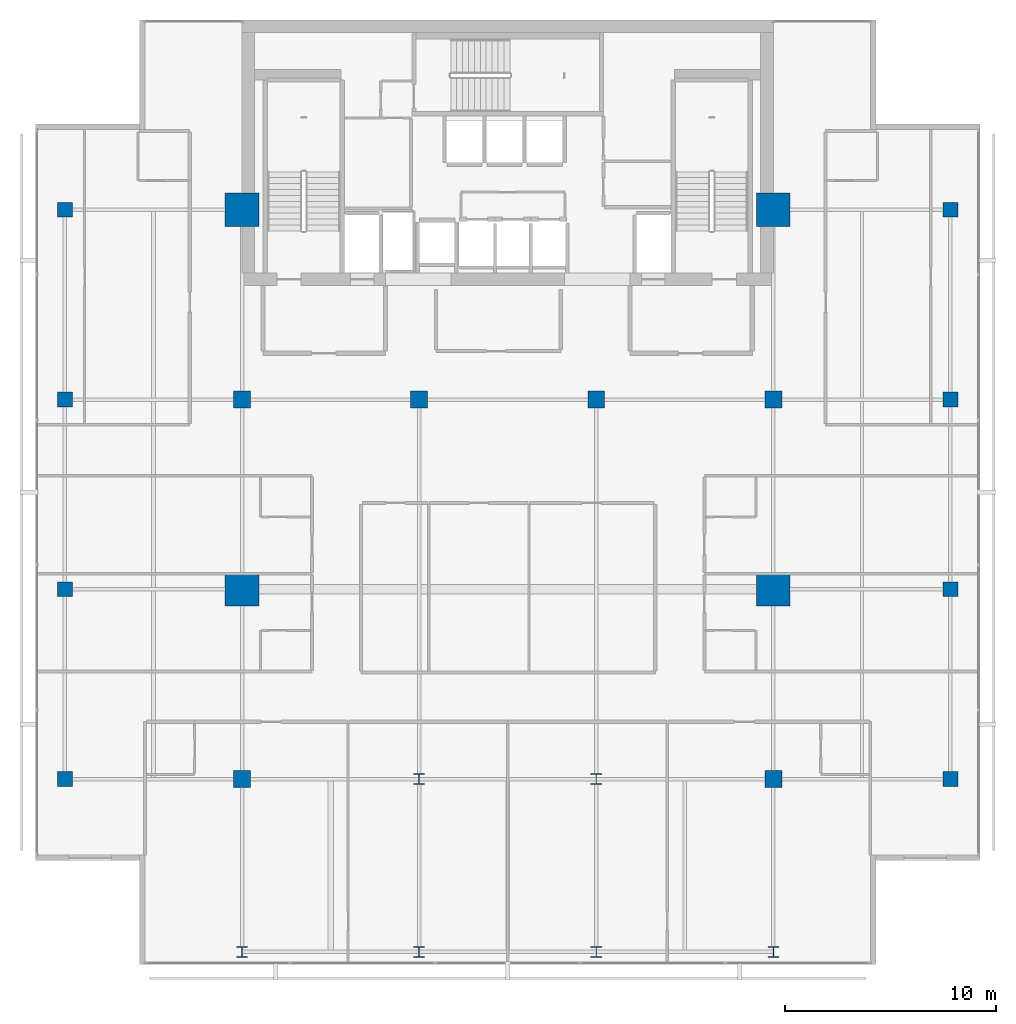
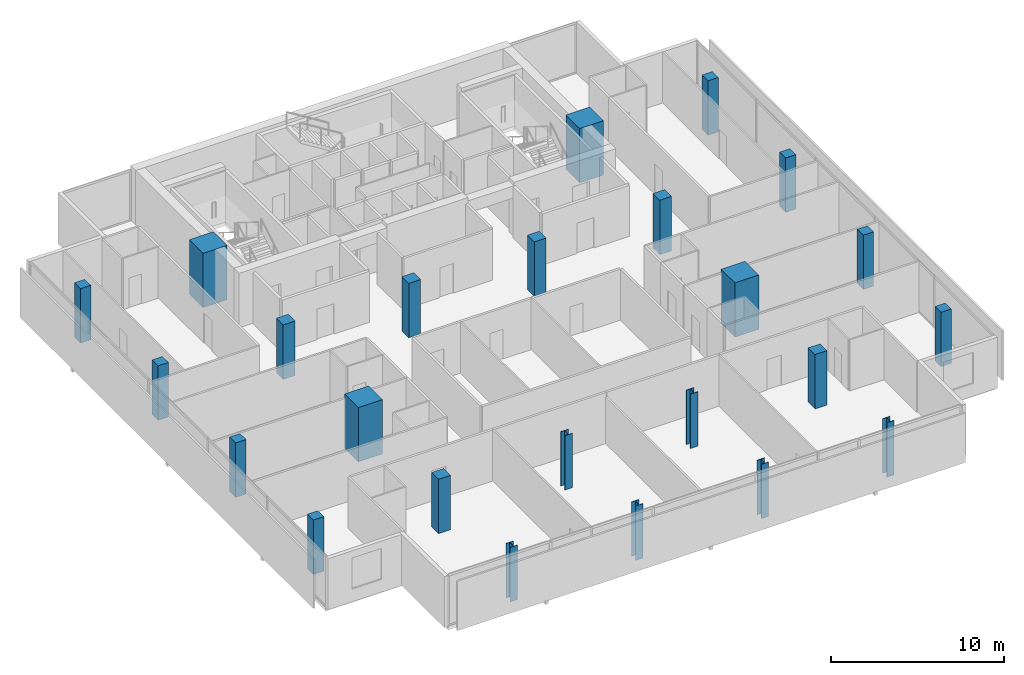
# One storey, part 1 of 25: 24 columns.
"""IFC4 building model written with IfcOpenShell, lengths in metres."""

from ifc_helpers import new_model, si_unit, direction, frame, origin, origin_2d, place, context, subcontext, project, spatial, rectangle, i_section, extrude, material, material_profile, profile_set, type_object, element, save


model = new_model("IFC4")

# Units and contexts
model_context = context("Model", 3, precision=1e-05, world=origin(), true_north=direction((0.0, 1.0)))
body_context = subcontext(model_context, "Body", "Model", "MODEL_VIEW")
ifc_project = project(units=[si_unit("LENGTHUNIT", "METRE"), si_unit("AREAUNIT", "SQUARE_METRE"), si_unit("VOLUMEUNIT", "CUBIC_METRE"), si_unit("PLANEANGLEUNIT", "RADIAN"), si_unit("MASSUNIT", "GRAM", prefix="KILO")], contexts=[model_context])

# Site, building, storey
site_placement = place(None, origin())
site = spatial("IfcSite", under=ifc_project, at=site_placement, CompositionType="ELEMENT")
building_placement = place(site_placement, origin())
building = spatial("IfcBuilding", under=site, at=building_placement, Name="Maruvema Waterfront Hotel and Observation Tower", CompositionType="ELEMENT")
storey_placement = place(building_placement, frame((0.0, 0.0, 281.75)))
storey = spatial("IfcBuildingStorey", under=building, at=storey_placement, Name="L69", CompositionType="ELEMENT", Elevation=281.75)

# Columns
ifc_material_1 = material(Name="Concrete C70/85", Category="concrete")
ifc_material_profile_1 = material_profile(ifc_material_1, rectangle(XDim=1.60009765625, YDim=1.60009765625, at=origin_2d()), Name="MC1600x1600")
ifc_profile_set_1 = profile_set([ifc_material_profile_1], Name="Concrete C70/85")
column_type_1 = type_object("IfcColumnType", Name="Continuous Mega-Column MC1600x1600", PredefinedType="COLUMN", material=ifc_profile_set_1)
for number, where, z_axis, x_axis, name in (
    (1, (25.199951171875, 27.0, 0.0), (0.0, 0.0, 1.0), (1.0, 0.0, 0.0), "L69 Continuous Mega-Column MC-01"),
    (2, (50.39990234375, 27.0, 0.0), (0.0, 0.0, 1.0), (1.0, 0.0, 0.0), "L69 Continuous Mega-Column MC-02"),
    (3, (25.199951171875, 45.0, 0.0), (0.0, 0.0, 1.0), (1.0, 0.0, 0.0), "L69 Continuous Mega-Column MC-03"),
    (4, (50.39990234375, 45.0, 0.0), (0.0, 0.0, 1.0), (1.0, 0.0, 0.0), "L69 Continuous Mega-Column MC-04"),
):
    element("IfcColumn", number, at=place(storey_placement, frame(where, z_axis=z_axis, x_axis=x_axis)), inside=storey, type_object=column_type_1, Name=name, PredefinedType="COLUMN", context=body_context, shape_type="SweptSolid", body=[
        extrude(rectangle(XDim=1.60009765625, YDim=1.60009765625, at=origin_2d()), origin(), (0.0, 0.0, 1.0), 3.85009765625),
    ])
ifc_material_2 = material(Name="Concrete C60/75", Category="concrete")
ifc_material_profile_2 = material_profile(ifc_material_2, rectangle(XDim=0.699951171875, YDim=0.699951171875, at=origin_2d()), Name="RC700x700")
ifc_profile_set_2 = profile_set([ifc_material_profile_2], Name="Concrete C60/75")
column_type_2 = type_object("IfcColumnType", Name="Reinforced Concrete Column RC700x700", PredefinedType="COLUMN", material=ifc_profile_set_2)
for number, where, z_axis, x_axis, name in (
    (5, (16.800048828125, 18.0, 0.0), (0.0, 0.0, 1.0), (1.0, 0.0, 0.0), "L69 Column C-3Y18"),
    (6, (58.800048828125, 18.0, 0.0), (0.0, 0.0, 1.0), (1.0, 0.0, 0.0), "L69 Column C-8Y18"),
    (7, (16.800048828125, 27.0, 0.0), (0.0, 0.0, 1.0), (1.0, 0.0, 0.0), "L69 Column C-3Y27"),
    (8, (58.800048828125, 27.0, 0.0), (0.0, 0.0, 1.0), (1.0, 0.0, 0.0), "L69 Column C-8Y27"),
    (9, (16.800048828125, 36.0, 0.0), (0.0, 0.0, 1.0), (1.0, 0.0, 0.0), "L69 Column C-3Y36"),
    (10, (58.800048828125, 36.0, 0.0), (0.0, 0.0, 1.0), (1.0, 0.0, 0.0), "L69 Column C-8Y36"),
    (11, (16.800048828125, 45.0, 0.0), (0.0, 0.0, 1.0), (1.0, 0.0, 0.0), "L69 Column C-3Y45"),
    (12, (58.800048828125, 45.0, 0.0), (0.0, 0.0, 1.0), (1.0, 0.0, 0.0), "L69 Column C-8Y45"),
):
    element("IfcColumn", number, at=place(storey_placement, frame(where, z_axis=z_axis, x_axis=x_axis)), inside=storey, type_object=column_type_2, Name=name, PredefinedType="COLUMN", context=body_context, shape_type="SweptSolid", body=[
        extrude(rectangle(XDim=0.699951171875, YDim=0.699951171875, at=origin_2d()), origin(), (0.0, 0.0, 1.0), 3.85009765625),
    ])
ifc_material_3 = material(Name="Concrete C60/75", Category="concrete")
ifc_material_profile_3 = material_profile(ifc_material_3, rectangle(XDim=0.800048828125, YDim=0.800048828125, at=origin_2d()), Name="RC800x800")
ifc_profile_set_3 = profile_set([ifc_material_profile_3], Name="Concrete C60/75")
column_type_3 = type_object("IfcColumnType", Name="Reinforced Concrete Column RC800x800", PredefinedType="COLUMN", material=ifc_profile_set_3)
for number, where, z_axis, x_axis, name in (
    (13, (25.199951171875, 36.0, 0.0), (0.0, 0.0, 1.0), (1.0, 0.0, 0.0), "L69 Column C-4E"),
    (14, (33.60009765625, 36.0, 0.0), (0.0, 0.0, 1.0), (1.0, 0.0, 0.0), "L69 Column C-5E"),
    (15, (42.0, 36.0, 0.0), (0.0, 0.0, 1.0), (1.0, 0.0, 0.0), "L69 Column C-6E"),
    (16, (50.39990234375, 36.0, 0.0), (0.0, 0.0, 1.0), (1.0, 0.0, 0.0), "L69 Column C-7E"),
    (17, (25.199951171875, 18.0, 0.0), (0.0, 0.0, 1.0), (1.0, 0.0, 0.0), "L69 Column C-4C"),
    (18, (50.39990234375, 18.0, 0.0), (0.0, 0.0, 1.0), (1.0, 0.0, 0.0), "L69 Column C-7C"),
):
    element("IfcColumn", number, at=place(storey_placement, frame(where, z_axis=z_axis, x_axis=x_axis)), inside=storey, type_object=column_type_3, Name=name, PredefinedType="COLUMN", context=body_context, shape_type="SweptSolid", body=[
        extrude(rectangle(XDim=0.800048828125, YDim=0.800048828125, at=origin_2d()), origin(), (0.0, 0.0, 1.0), 3.85009765625),
    ])
ifc_material_4 = material(Name="Steel ABNT NBR 7007 AR 415 (ASTM A572 Grade 50)", Category="steel")
ifc_material_profile_4 = material_profile(ifc_material_4, i_section(OverallWidth=0.5, OverallDepth=0.5, WebThickness=0.02197265625, FlangeThickness=0.031982421875, at=origin_2d()), Name="CVS500x223")
ifc_profile_set_4 = profile_set([ifc_material_profile_4], Name="Steel ABNT NBR 7007 AR 415 (ASTM A572 Grade 50)")
column_type_4 = type_object("IfcColumnType", Name="Structural Steel Column CVS500x223", PredefinedType="COLUMN", material=ifc_profile_set_4)
for number, where, z_axis, x_axis, name in (
    (19, (33.60009765625, 18.0, 0.0), (0.0, 0.0, 1.0), (1.0, 0.0, 0.0), "L69 Column C-5C"),
    (20, (42.0, 18.0, 0.0), (0.0, 0.0, 1.0), (1.0, 0.0, 0.0), "L69 Column C-6C"),
    (21, (25.199951171875, 9.800048828125, 0.0), (0.0, 0.0, 1.0), (1.0, 0.0, 0.0), "L69 Column C-Z3S4"),
    (22, (33.60009765625, 9.800048828125, 0.0), (0.0, 0.0, 1.0), (1.0, 0.0, 0.0), "L69 Column C-Z3S5"),
    (23, (42.0, 9.800048828125, 0.0), (0.0, 0.0, 1.0), (1.0, 0.0, 0.0), "L69 Column C-Z3S6"),
    (24, (50.39990234375, 9.800048828125, 0.0), (0.0, 0.0, 1.0), (1.0, 0.0, 0.0), "L69 Column C-Z3S7"),
):
    element("IfcColumn", number, at=place(storey_placement, frame(where, z_axis=z_axis, x_axis=x_axis)), inside=storey, type_object=column_type_4, Name=name, PredefinedType="COLUMN", context=body_context, shape_type="SweptSolid", body=[
        extrude(i_section(OverallWidth=0.5, OverallDepth=0.5, WebThickness=0.02197265625, FlangeThickness=0.031982421875, at=origin_2d()), origin(), (0.0, 0.0, 1.0), 3.85009765625),
    ])

save(model, "model.ifc")
